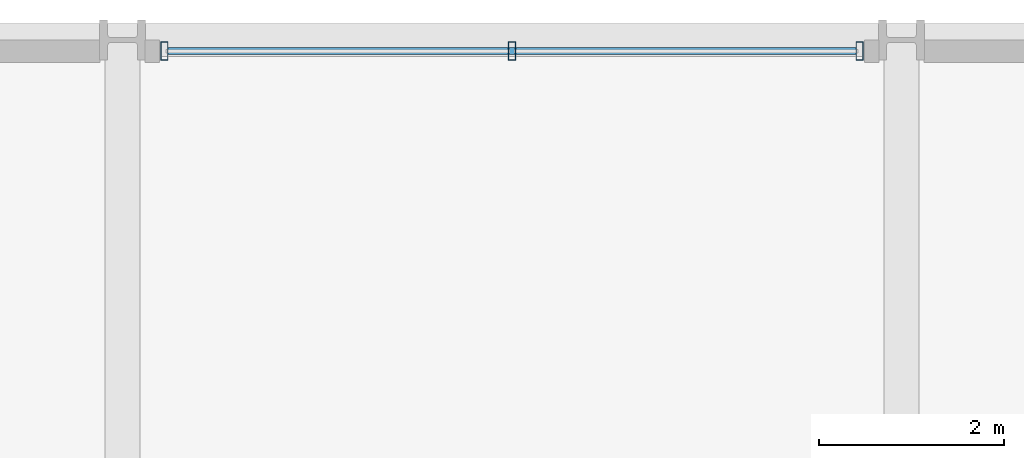
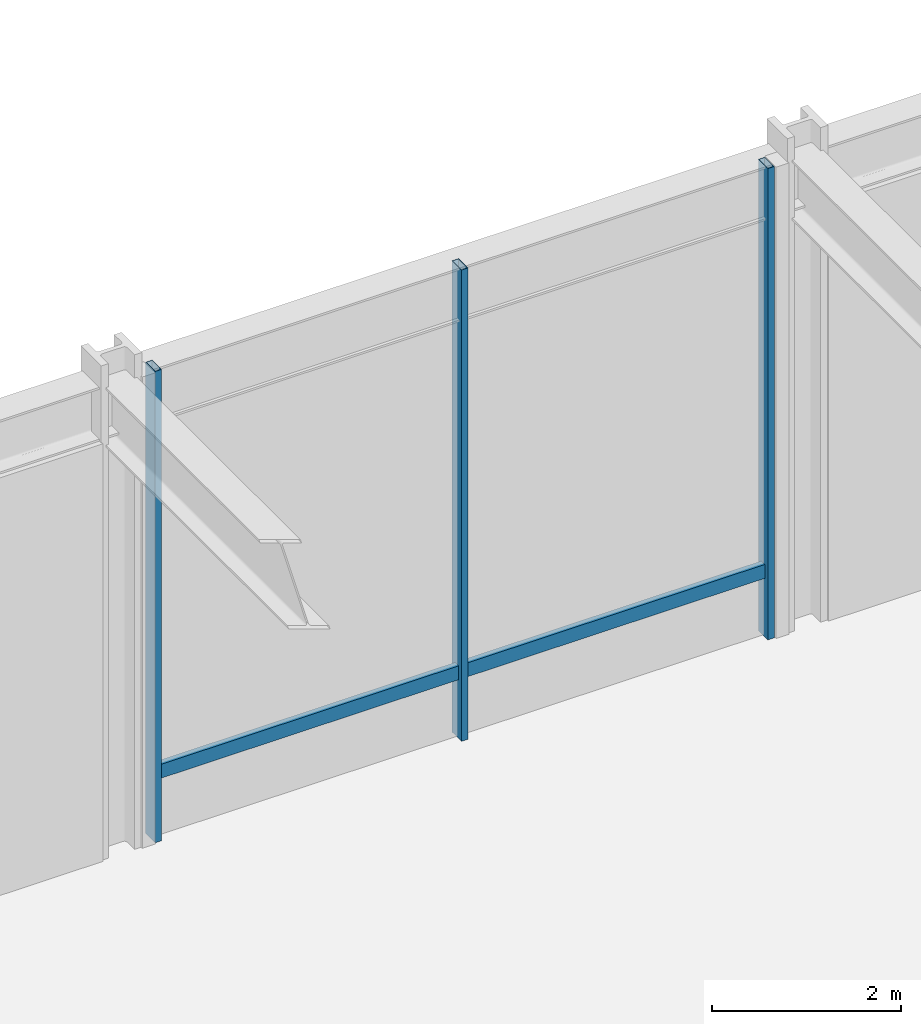
# One storey, part 5 of 20: 4 members, 1 element without a shape of its own.
"""IFC4 building model written with IfcOpenShell, lengths in metres."""

import ifcopenshell
import ifcopenshell.guid

model = None  # the IFC model being written
_history = None  # IfcOwnerHistory: only IFC2X3 demands one
_inside = {}  # id of a spatial element -> (the spatial element, [elements in it])
_under = {}  # id of a project, library or spatial element -> (it, [spatial elements below it])
_declared = {}  # id of a project -> (the project, [libraries it declares])
_typed = {}  # id of a type object -> (the type object, [elements of that type])
_made_of = {}  # id of a material, layer set ... -> (it, [elements and type objects made of it])


def new_model(schema):
    """Start an empty IFC model of exactly this schema.

    Asked for "IFC4X3", IfcOpenShell would pick the latest addendum, in which some entities
    have other attributes; the version numbers below select the first issue.
    IFC2X3 requires an IfcOwnerHistory on every rooted entity: one is made here for all.
    """
    global model, _history
    if schema == "IFC4X3":
        model = ifcopenshell.file(schema_version=(4, 3, 0, 0))
    else:
        model = ifcopenshell.file(schema=schema)
    _inside.clear()
    _under.clear()
    _declared.clear()
    _typed.clear()
    _made_of.clear()
    _history = None
    if model.schema == "IFC2X3":
        org = make("IfcOrganization", Name="unknown")
        user = make(
            "IfcPersonAndOrganization",
            ThePerson=make("IfcPerson", FamilyName="unknown"),
            TheOrganization=org,
        )
        app = make(
            "IfcApplication",
            ApplicationDeveloper=org,
            Version="unknown",
            ApplicationFullName="unknown",
            ApplicationIdentifier="unknown",
        )
        _history = make(
            "IfcOwnerHistory",
            OwningUser=user,
            OwningApplication=app,
            ChangeAction="ADDED",
            CreationDate=0,
        )
    return model


def make(cls, **values):
    """One entity of the class cls with the attributes given. An attribute that is None is left unset."""
    return model.create_entity(
        cls, **{name: value for name, value in values.items() if value is not None}
    )


def rooted(cls, **values):
    """An entity with a GlobalId (a new one), such as an element, a storey or a relation."""
    return make(cls, GlobalId=ifcopenshell.guid.new(), OwnerHistory=_history, **values)


def si_unit(unit_type, name, prefix=None):
    """IfcSIUnit, for example si_unit("LENGTHUNIT", "METRE", prefix="MILLI")."""
    return make("IfcSIUnit", UnitType=unit_type, Prefix=prefix, Name=name)


def assignment(units):
    """IfcUnitAssignment: the units of a project."""
    return None if units is None else make("IfcUnitAssignment", Units=units)


def point(xyz):
    """IfcCartesianPoint."""
    return None if xyz is None else make("IfcCartesianPoint", Coordinates=xyz)


def direction(xyz):
    """IfcDirection."""
    return None if xyz is None else make("IfcDirection", DirectionRatios=xyz)


def frame(location, z_axis=None, x_axis=None):
    """IfcAxis2Placement3D, a coordinate frame: its origin and axes. An axis left out is left unset."""
    return make(
        "IfcAxis2Placement3D",
        Location=point(location),
        Axis=direction(z_axis),
        RefDirection=direction(x_axis),
    )


def frame_2d(location, x_axis=None):
    """IfcAxis2Placement2D, a coordinate frame in the plane: its origin and x axis."""
    return make(
        "IfcAxis2Placement2D", Location=point(location), RefDirection=direction(x_axis)
    )


def origin():
    """The frame at (0, 0, 0) with its axes left unset."""
    return frame((0.0, 0.0, 0.0))


def origin_2d():
    """The frame at (0, 0) in the plane with its x axis left unset."""
    return frame_2d((0.0, 0.0))


def place(relative_to, where):
    """IfcLocalPlacement: puts the frame where relative to a parent placement (None: the world)."""
    return make(
        "IfcLocalPlacement", PlacementRelTo=relative_to, RelativePlacement=where
    )


def context(
    kind, dimensions, precision=None, world=None, true_north=None, identifier=None
):
    """IfcGeometricRepresentationContext, for example the 3D "Model" context."""
    return make(
        "IfcGeometricRepresentationContext",
        ContextIdentifier=identifier,
        ContextType=kind,
        CoordinateSpaceDimension=dimensions,
        Precision=precision,
        WorldCoordinateSystem=world,
        TrueNorth=true_north,
    )


def subcontext(parent, identifier, kind, view, scale=None):
    """IfcGeometricRepresentationSubContext, for example "Body" below "Model"."""
    return make(
        "IfcGeometricRepresentationSubContext",
        ContextIdentifier=identifier,
        ContextType=kind,
        ParentContext=parent,
        TargetScale=scale,
        TargetView=view,
    )


def project(units=None, contexts=None):
    """IfcProject with its units and contexts."""
    return rooted(
        "IfcProject",
        Name="project",
        RepresentationContexts=contexts,
        UnitsInContext=assignment(units),
    )


def spatial(cls, under=None, at=None, **own):
    """A site, building, storey or space (cls), placed at a placement, below another one or the project."""
    s = rooted(cls, ObjectPlacement=at, **own)
    if under is not None:
        _under.setdefault(under.id(), (under, []))[1].append(s)
    return s


def profile(cls, at=None, kind="AREA", **sizes):
    """A parametric profile (cls). Its sizes go by their IFC names, for example OverallWidth=200.0."""
    return make(cls, ProfileType=kind, Position=at, **sizes)


def hollow_rectangle(**sizes):
    """IfcRectangleHollowProfileDef."""
    return profile("IfcRectangleHollowProfileDef", **sizes)


def extrude(swept, where, along, depth):
    """IfcExtrudedAreaSolid: the profile swept, set in the frame where, extruded along a direction by depth."""
    return make(
        "IfcExtrudedAreaSolid",
        SweptArea=swept,
        Position=where,
        ExtrudedDirection=direction(along),
        Depth=depth,
    )


def shape(context_of_items, identifier, shape_type, items):
    """IfcShapeRepresentation: the items that make up one representation, for example the "Body"."""
    return make(
        "IfcShapeRepresentation",
        ContextOfItems=context_of_items,
        RepresentationIdentifier=identifier,
        RepresentationType=shape_type,
        Items=items,
    )


def material(Name=None, Category=None):
    """IfcMaterial."""
    return make("IfcMaterial", Name=Name, Category=Category)


def layer(
    of_material, thickness, ventilated=None, Name=None, Category=None, Priority=None
):
    """IfcMaterialLayer: one layer of a wall or slab, of a material (None: an air gap)."""
    return make(
        "IfcMaterialLayer",
        Material=of_material,
        LayerThickness=thickness,
        IsVentilated=ventilated,
        Name=Name,
        Category=Category,
        Priority=Priority,
    )


def layer_set(layers, Name=None):
    """IfcMaterialLayerSet."""
    return make("IfcMaterialLayerSet", MaterialLayers=layers, LayerSetName=Name)


def material_profile(
    of_material, cross_section, Name=None, Category=None, Priority=None
):
    """IfcMaterialProfile: a cross section and its material."""
    return make(
        "IfcMaterialProfile",
        Name=Name,
        Material=of_material,
        Profile=cross_section,
        Priority=Priority,
        Category=Category,
    )


def profile_set(profiles, Name=None, composite=None):
    """IfcMaterialProfileSet."""
    return make(
        "IfcMaterialProfileSet",
        Name=Name,
        MaterialProfiles=profiles,
        CompositeProfile=composite,
    )


def made_of(thing, what):
    """Note that an element or type object is made of a material, layer set ...; save() writes the relation."""
    if what is not None:
        _made_of.setdefault(what.id(), (what, []))[1].append(thing)
    return thing


def type_object(cls, material=None, **own):
    """A type object (cls), such as IfcWallType, which elements share."""
    return made_of(rooted(cls, **own), material)


def element(
    cls,
    number,
    at=None,
    inside=None,
    cuts=None,
    type_object=None,
    material=None,
    context=None,
    identifier="Body",
    shape_type=None,
    held_by="IfcProductDefinitionShape",
    body=None,
    shapes=None,
    **own,
):
    """One element of the class cls, such as IfcWall. Its Tag is "e" and its number.

    at: its placement. inside: the storey or other place that contains it. cuts: it is an
    opening in that element (IfcRelVoidsElement). A single representation is given by context,
    identifier, shape_type and body (its items); several are given by shapes. held_by: the class
    of the entity that holds the representations. save() writes the other relations.
    """
    e = rooted(cls, Tag="e%d" % number, ObjectPlacement=at, **own)
    if body is not None:
        shapes = [shape(context, identifier, shape_type, body)]
    if shapes is not None:
        e.Representation = make(held_by, Representations=shapes)
    if inside is not None:
        _inside.setdefault(inside.id(), (inside, []))[1].append(e)
    if cuts is not None:
        rooted(
            "IfcRelVoidsElement", RelatingBuildingElement=cuts, RelatedOpeningElement=e
        )
    if type_object is not None:
        _typed.setdefault(type_object.id(), (type_object, []))[1].append(e)
    return made_of(e, material)


def aggregate(whole, parts):
    """IfcRelAggregates: a whole, such as a stair, and the parts it consists of."""
    return rooted("IfcRelAggregates", RelatingObject=whole, RelatedObjects=parts)


def save(model, path):
    """Write the relations noted so far, then the file.

    IfcRelAggregates (storeys below a building ...), IfcRelContainedInSpatialStructure (elements
    in a storey), IfcRelDefinesByType, IfcRelAssociatesMaterial and IfcRelDeclares: one each for
    every whole, place, type object, material and project.
    """
    for whole, parts in _under.values():
        aggregate(whole, parts)
    for where, things in _inside.values():
        rooted(
            "IfcRelContainedInSpatialStructure",
            RelatedElements=things,
            RelatingStructure=where,
        )
    for kind, things in _typed.values():
        rooted("IfcRelDefinesByType", RelatedObjects=things, RelatingType=kind)
    for what, things in _made_of.values():
        rooted("IfcRelAssociatesMaterial", RelatedObjects=things, RelatingMaterial=what)
    for by, libraries in _declared.values():
        rooted("IfcRelDeclares", RelatingContext=by, RelatedDefinitions=libraries)
    model.write(path)


model = new_model("IFC4")

# Units and contexts
model_context = context("Model", 3, precision=1e-05, world=origin(), true_north=direction((0.0, 1.0)))
body_context = subcontext(model_context, "Body", "Model", "MODEL_VIEW")
ifc_project = project(units=[si_unit("LENGTHUNIT", "METRE"), si_unit("AREAUNIT", "SQUARE_METRE"), si_unit("VOLUMEUNIT", "CUBIC_METRE"), si_unit("PLANEANGLEUNIT", "RADIAN"), si_unit("MASSUNIT", "GRAM", prefix="KILO")], contexts=[model_context])

# Site, building, storey
site_placement = place(None, origin())
site = spatial("IfcSite", under=ifc_project, at=site_placement, CompositionType="ELEMENT")
building_placement = place(site_placement, origin())
building = spatial("IfcBuilding", under=site, at=building_placement, Name="Drelvath Grand Hotel", CompositionType="ELEMENT")
storey_placement = place(building_placement, frame((0.0, 0.0, 10.800048828125)))
storey = spatial("IfcBuildingStorey", under=building, at=storey_placement, Name="L02", CompositionType="ELEMENT", Elevation=10.800048828125)

# Curtain wall, members
ifc_material = material(Name="Dark Bronze Anodised Aluminium Frame", Category="aluminium")
ifc_layer = layer(ifc_material, 0.199951171875)
ifc_layer_set = layer_set([ifc_layer], Name="Dark Bronze Anodised Aluminium Frame")
curtain_wall_type = type_object("IfcCurtainWallType", Name="Stick Curtain Wall CW-01 Dark Bronze Podium", PredefinedType="NOTDEFINED", material=ifc_layer_set)
curtain_wall_placement = place(storey_placement, origin())
curtain_wall = element("IfcCurtainWall", 1, at=curtain_wall_placement, inside=storey, type_object=curtain_wall_type, Name="L02 CW-01 Curtain Wall CW01-L02-NC1", PredefinedType="NOTDEFINED")
ifc_material_profile_1 = material_profile(ifc_material, hollow_rectangle(XDim=0.074951171875, YDim=0.179931640625, WallThickness=0.0048828125, at=origin_2d()), Name="HSS180X75X5")
ifc_profile_set_1 = profile_set([ifc_material_profile_1], Name="Dark Bronze Anodised Aluminium Frame")
member_type_1 = type_object("IfcMemberType", Name="Curtain Wall Horizontal Transom CW-01 HSS180X75X5", PredefinedType="USERDEFINED", material=ifc_profile_set_1)
member_1_placement = place(storey_placement, frame((-7.909912109375, 53.8798828125, 0.849853515625), z_axis=(1.0, 0.0, 0.0), x_axis=(0.0, 1.0, 0.0)))
member_1 = element("IfcMember", 2, at=member_1_placement, type_object=member_type_1, Name="CW01-L02-NC1 Sill Transom", ObjectType="TRANSOM", PredefinedType="USERDEFINED", context=body_context, shape_type="SweptSolid", body=[
    extrude(hollow_rectangle(XDim=0.074951171875, YDim=0.179931640625, WallThickness=0.0048828125, at=origin_2d()), origin(), (0.0, 0.0, 1.0), 7.419921875),
])
ifc_material_profile_2 = material_profile(ifc_material, hollow_rectangle(XDim=0.080078125, YDim=0.199951171875, WallThickness=0.0048828125, at=origin_2d()), Name="HSS200X80X5")
ifc_profile_set_2 = profile_set([ifc_material_profile_2], Name="Dark Bronze Anodised Aluminium Frame")
member_type_2 = type_object("IfcMemberType", Name="Curtain Wall Vertical Mullion CW-01 HSS200X80X5", PredefinedType="MULLION", material=ifc_profile_set_2)
member_2_placement = place(storey_placement, frame((-7.949951171875, 53.8798828125, 0.0), z_axis=(0.0, 0.0, 1.0), x_axis=(1.0, 0.0, 0.0)))
member_2 = element("IfcMember", 3, at=member_2_placement, type_object=member_type_2, Name="CW01-L02-NC1 Mullion 1", PredefinedType="MULLION", context=body_context, shape_type="SweptSolid", body=[
    extrude(hollow_rectangle(XDim=0.080078125, YDim=0.199951171875, WallThickness=0.0048828125, at=origin_2d()), origin(), (0.0, 0.0, 1.0), 6.099853515625),
])
member_3_placement = place(storey_placement, frame((-4.199951171875, 53.8798828125, 0.0), z_axis=(0.0, 0.0, 1.0), x_axis=(1.0, 0.0, 0.0)))
member_3 = element("IfcMember", 4, at=member_3_placement, type_object=member_type_2, Name="CW01-L02-NC1 Mullion 2", PredefinedType="MULLION", context=body_context, shape_type="SweptSolid", body=[
    extrude(hollow_rectangle(XDim=0.080078125, YDim=0.199951171875, WallThickness=0.0048828125, at=origin_2d()), origin(), (0.0, 0.0, 1.0), 6.099853515625),
])
member_4_placement = place(storey_placement, frame((-0.449951171875, 53.8798828125, 0.0), z_axis=(0.0, 0.0, 1.0), x_axis=(1.0, 0.0, 0.0)))
member_4 = element("IfcMember", 5, at=member_4_placement, type_object=member_type_2, Name="CW01-L02-NC1 Mullion 3", PredefinedType="MULLION", context=body_context, shape_type="SweptSolid", body=[
    extrude(hollow_rectangle(XDim=0.080078125, YDim=0.199951171875, WallThickness=0.0048828125, at=origin_2d()), origin(), (0.0, 0.0, 1.0), 6.099853515625),
])
aggregate(curtain_wall, [member_2, member_3, member_4, member_1])

save(model, "model.ifc")
